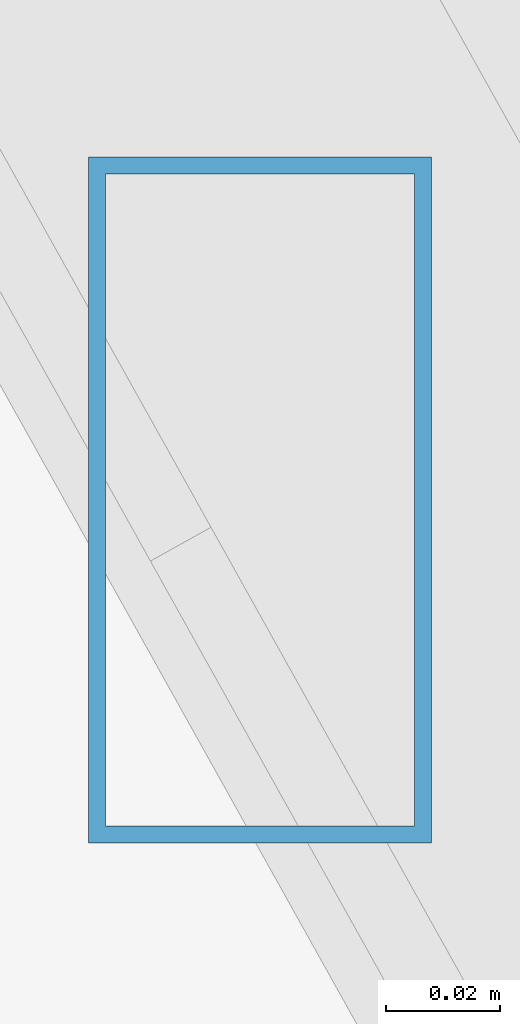
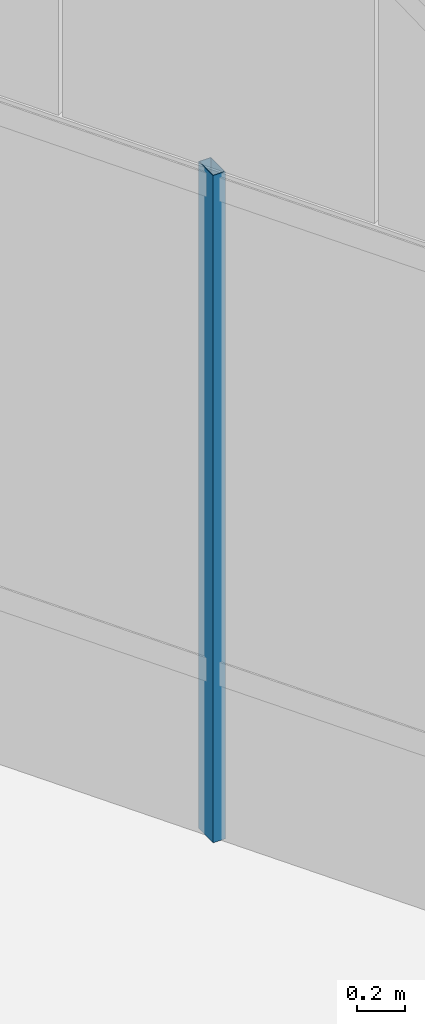
# One storey, part 40 of 50: 1 member, 1 element without a shape of its own.
"""IFC4 building model written with IfcOpenShell, lengths in metres."""

import ifcopenshell
import ifcopenshell.guid

model = None  # the IFC model being written
_history = None  # IfcOwnerHistory: only IFC2X3 demands one
_inside = {}  # id of a spatial element -> (the spatial element, [elements in it])
_under = {}  # id of a project, library or spatial element -> (it, [spatial elements below it])
_declared = {}  # id of a project -> (the project, [libraries it declares])
_typed = {}  # id of a type object -> (the type object, [elements of that type])
_made_of = {}  # id of a material, layer set ... -> (it, [elements and type objects made of it])


def new_model(schema):
    """Start an empty IFC model of exactly this schema.

    Asked for "IFC4X3", IfcOpenShell would pick the latest addendum, in which some entities
    have other attributes; the version numbers below select the first issue.
    IFC2X3 requires an IfcOwnerHistory on every rooted entity: one is made here for all.
    """
    global model, _history
    if schema == "IFC4X3":
        model = ifcopenshell.file(schema_version=(4, 3, 0, 0))
    else:
        model = ifcopenshell.file(schema=schema)
    _inside.clear()
    _under.clear()
    _declared.clear()
    _typed.clear()
    _made_of.clear()
    _history = None
    if model.schema == "IFC2X3":
        org = make("IfcOrganization", Name="unknown")
        user = make(
            "IfcPersonAndOrganization",
            ThePerson=make("IfcPerson", FamilyName="unknown"),
            TheOrganization=org,
        )
        app = make(
            "IfcApplication",
            ApplicationDeveloper=org,
            Version="unknown",
            ApplicationFullName="unknown",
            ApplicationIdentifier="unknown",
        )
        _history = make(
            "IfcOwnerHistory",
            OwningUser=user,
            OwningApplication=app,
            ChangeAction="ADDED",
            CreationDate=0,
        )
    return model


def make(cls, **values):
    """One entity of the class cls with the attributes given. An attribute that is None is left unset."""
    return model.create_entity(
        cls, **{name: value for name, value in values.items() if value is not None}
    )


def rooted(cls, **values):
    """An entity with a GlobalId (a new one), such as an element, a storey or a relation."""
    return make(cls, GlobalId=ifcopenshell.guid.new(), OwnerHistory=_history, **values)


def si_unit(unit_type, name, prefix=None):
    """IfcSIUnit, for example si_unit("LENGTHUNIT", "METRE", prefix="MILLI")."""
    return make("IfcSIUnit", UnitType=unit_type, Prefix=prefix, Name=name)


def assignment(units):
    """IfcUnitAssignment: the units of a project."""
    return None if units is None else make("IfcUnitAssignment", Units=units)


def point(xyz):
    """IfcCartesianPoint."""
    return None if xyz is None else make("IfcCartesianPoint", Coordinates=xyz)


def direction(xyz):
    """IfcDirection."""
    return None if xyz is None else make("IfcDirection", DirectionRatios=xyz)


def frame(location, z_axis=None, x_axis=None):
    """IfcAxis2Placement3D, a coordinate frame: its origin and axes. An axis left out is left unset."""
    return make(
        "IfcAxis2Placement3D",
        Location=point(location),
        Axis=direction(z_axis),
        RefDirection=direction(x_axis),
    )


def frame_2d(location, x_axis=None):
    """IfcAxis2Placement2D, a coordinate frame in the plane: its origin and x axis."""
    return make(
        "IfcAxis2Placement2D", Location=point(location), RefDirection=direction(x_axis)
    )


def origin():
    """The frame at (0, 0, 0) with its axes left unset."""
    return frame((0.0, 0.0, 0.0))


def origin_2d():
    """The frame at (0, 0) in the plane with its x axis left unset."""
    return frame_2d((0.0, 0.0))


def place(relative_to, where):
    """IfcLocalPlacement: puts the frame where relative to a parent placement (None: the world)."""
    return make(
        "IfcLocalPlacement", PlacementRelTo=relative_to, RelativePlacement=where
    )


def context(
    kind, dimensions, precision=None, world=None, true_north=None, identifier=None
):
    """IfcGeometricRepresentationContext, for example the 3D "Model" context."""
    return make(
        "IfcGeometricRepresentationContext",
        ContextIdentifier=identifier,
        ContextType=kind,
        CoordinateSpaceDimension=dimensions,
        Precision=precision,
        WorldCoordinateSystem=world,
        TrueNorth=true_north,
    )


def subcontext(parent, identifier, kind, view, scale=None):
    """IfcGeometricRepresentationSubContext, for example "Body" below "Model"."""
    return make(
        "IfcGeometricRepresentationSubContext",
        ContextIdentifier=identifier,
        ContextType=kind,
        ParentContext=parent,
        TargetScale=scale,
        TargetView=view,
    )


def project(units=None, contexts=None):
    """IfcProject with its units and contexts."""
    return rooted(
        "IfcProject",
        Name="project",
        RepresentationContexts=contexts,
        UnitsInContext=assignment(units),
    )


def spatial(cls, under=None, at=None, **own):
    """A site, building, storey or space (cls), placed at a placement, below another one or the project."""
    s = rooted(cls, ObjectPlacement=at, **own)
    if under is not None:
        _under.setdefault(under.id(), (under, []))[1].append(s)
    return s


def profile(cls, at=None, kind="AREA", **sizes):
    """A parametric profile (cls). Its sizes go by their IFC names, for example OverallWidth=200.0."""
    return make(cls, ProfileType=kind, Position=at, **sizes)


def hollow_rectangle(**sizes):
    """IfcRectangleHollowProfileDef."""
    return profile("IfcRectangleHollowProfileDef", **sizes)


def extrude(swept, where, along, depth):
    """IfcExtrudedAreaSolid: the profile swept, set in the frame where, extruded along a direction by depth."""
    return make(
        "IfcExtrudedAreaSolid",
        SweptArea=swept,
        Position=where,
        ExtrudedDirection=direction(along),
        Depth=depth,
    )


def shape(context_of_items, identifier, shape_type, items):
    """IfcShapeRepresentation: the items that make up one representation, for example the "Body"."""
    return make(
        "IfcShapeRepresentation",
        ContextOfItems=context_of_items,
        RepresentationIdentifier=identifier,
        RepresentationType=shape_type,
        Items=items,
    )


def source(mapping_origin, context_of_items, identifier, shape_type, items):
    """IfcRepresentationMap: a shape defined once, which mapped items show again and again."""
    return make(
        "IfcRepresentationMap",
        MappingOrigin=mapping_origin,
        MappedRepresentation=shape(context_of_items, identifier, shape_type, items),
    )


def transform(
    local_origin,
    x_axis=None,
    y_axis=None,
    z_axis=None,
    scale=None,
    scale2=None,
    scale3=None,
    uniform=True,
):
    """IfcCartesianTransformationOperator3D, or its non-uniform kind. x_axis, y_axis, z_axis: its Axis1, 2, 3."""
    if uniform:
        return make(
            "IfcCartesianTransformationOperator3D",
            Axis1=direction(x_axis),
            Axis2=direction(y_axis),
            LocalOrigin=point(local_origin),
            Scale=scale,
            Axis3=direction(z_axis),
        )
    return make(
        "IfcCartesianTransformationOperator3DnonUniform",
        Axis1=direction(x_axis),
        Axis2=direction(y_axis),
        LocalOrigin=point(local_origin),
        Scale=scale,
        Axis3=direction(z_axis),
        Scale2=scale2,
        Scale3=scale3,
    )


def mapped(mapping_source, mapping_target):
    """IfcMappedItem: shows the shape of a source again, moved by a transform."""
    return make(
        "IfcMappedItem", MappingSource=mapping_source, MappingTarget=mapping_target
    )


def material(Name=None, Category=None):
    """IfcMaterial."""
    return make("IfcMaterial", Name=Name, Category=Category)


def material_profile(
    of_material, cross_section, Name=None, Category=None, Priority=None
):
    """IfcMaterialProfile: a cross section and its material."""
    return make(
        "IfcMaterialProfile",
        Name=Name,
        Material=of_material,
        Profile=cross_section,
        Priority=Priority,
        Category=Category,
    )


def profile_set(profiles, Name=None, composite=None):
    """IfcMaterialProfileSet."""
    return make(
        "IfcMaterialProfileSet",
        Name=Name,
        MaterialProfiles=profiles,
        CompositeProfile=composite,
    )


def made_of(thing, what):
    """Note that an element or type object is made of a material, layer set ...; save() writes the relation."""
    if what is not None:
        _made_of.setdefault(what.id(), (what, []))[1].append(thing)
    return thing


def type_object(cls, material=None, **own):
    """A type object (cls), such as IfcWallType, which elements share."""
    return made_of(rooted(cls, **own), material)


def type_shapes(of_type, sources):
    """Give a type object the sources (RepresentationMaps) that its elements show as mapped items."""
    of_type.RepresentationMaps = sources


def element(
    cls,
    number,
    at=None,
    inside=None,
    cuts=None,
    type_object=None,
    material=None,
    context=None,
    identifier="Body",
    shape_type=None,
    held_by="IfcProductDefinitionShape",
    body=None,
    shapes=None,
    **own,
):
    """One element of the class cls, such as IfcWall. Its Tag is "e" and its number.

    at: its placement. inside: the storey or other place that contains it. cuts: it is an
    opening in that element (IfcRelVoidsElement). A single representation is given by context,
    identifier, shape_type and body (its items); several are given by shapes. held_by: the class
    of the entity that holds the representations. save() writes the other relations.
    """
    e = rooted(cls, Tag="e%d" % number, ObjectPlacement=at, **own)
    if body is not None:
        shapes = [shape(context, identifier, shape_type, body)]
    if shapes is not None:
        e.Representation = make(held_by, Representations=shapes)
    if inside is not None:
        _inside.setdefault(inside.id(), (inside, []))[1].append(e)
    if cuts is not None:
        rooted(
            "IfcRelVoidsElement", RelatingBuildingElement=cuts, RelatedOpeningElement=e
        )
    if type_object is not None:
        _typed.setdefault(type_object.id(), (type_object, []))[1].append(e)
    return made_of(e, material)


def aggregate(whole, parts):
    """IfcRelAggregates: a whole, such as a stair, and the parts it consists of."""
    return rooted("IfcRelAggregates", RelatingObject=whole, RelatedObjects=parts)


def save(model, path):
    """Write the relations noted so far, then the file.

    IfcRelAggregates (storeys below a building ...), IfcRelContainedInSpatialStructure (elements
    in a storey), IfcRelDefinesByType, IfcRelAssociatesMaterial and IfcRelDeclares: one each for
    every whole, place, type object, material and project.
    """
    for whole, parts in _under.values():
        aggregate(whole, parts)
    for where, things in _inside.values():
        rooted(
            "IfcRelContainedInSpatialStructure",
            RelatedElements=things,
            RelatingStructure=where,
        )
    for kind, things in _typed.values():
        rooted("IfcRelDefinesByType", RelatedObjects=things, RelatingType=kind)
    for what, things in _made_of.values():
        rooted("IfcRelAssociatesMaterial", RelatedObjects=things, RelatingMaterial=what)
    for by, libraries in _declared.values():
        rooted("IfcRelDeclares", RelatingContext=by, RelatedDefinitions=libraries)
    model.write(path)


model = new_model("IFC4")

# Units and contexts
model_context = context("Model", 3, precision=1e-05, world=origin(), true_north=direction((0.0, 1.0)))
body_context = subcontext(model_context, "Body", "Model", "MODEL_VIEW")
ifc_project = project(units=[si_unit("LENGTHUNIT", "METRE"), si_unit("AREAUNIT", "SQUARE_METRE"), si_unit("VOLUMEUNIT", "CUBIC_METRE"), si_unit("PLANEANGLEUNIT", "RADIAN"), si_unit("MASSUNIT", "GRAM", prefix="KILO")], contexts=[model_context])

# Site, building, storey
site_placement = place(None, origin())
site = spatial("IfcSite", under=ifc_project, at=site_placement, CompositionType="ELEMENT")
building_placement = place(site_placement, origin())
building = spatial("IfcBuilding", under=site, at=building_placement, Name="Caelisora Broadcast Tower", CompositionType="ELEMENT")
storey_placement = place(building_placement, frame((0.0, 0.0, 303.39990234375)))
storey = spatial("IfcBuildingStorey", under=building, at=storey_placement, Name="L80", CompositionType="ELEMENT", Elevation=303.39990234375)

# Curtain wall, member
ifc_material_1 = material(Name="Unitised Aluminium Insulated Shadow-Box Spandrel Curtain Wall", Category="aluminium")
curtain_wall_type = type_object("IfcCurtainWallType", Name="CW-SP3", PredefinedType="NOTDEFINED", material=ifc_material_1)
curtain_wall_placement = place(storey_placement, origin())
curtain_wall = element("IfcCurtainWall", 1, at=curtain_wall_placement, inside=storey, type_object=curtain_wall_type, Name="L80 curtain wall CW-SP3", PredefinedType="NOTDEFINED")
ifc_material_2 = material(Name="Aluminium 6063-T6 Anodised Terracotta Bronze", Category="aluminium")
ifc_material_profile = material_profile(ifc_material_2, hollow_rectangle(XDim=0.06005859375, YDim=0.1201171875, WallThickness=0.0029296875, at=origin_2d()), Name="Aluminium 6063-T6 Anodised Terracotta Bronze")
ifc_profile_set = profile_set([ifc_material_profile], Name="Aluminium 6063-T6 Anodised Terracotta Bronze")
member_type = type_object("IfcMemberType", Name="CWM-04", PredefinedType="MULLION", material=ifc_profile_set)
shared_shape = source(origin(), body_context, "Body", "SweptSolid", [
    extrude(hollow_rectangle(XDim=0.06005859375, YDim=0.1201171875, WallThickness=0.0029296875, at=origin_2d()), origin(), (0.0, 0.0, 1.0), 3.400146484375),
])
type_shapes(member_type, [shared_shape])
member_placement = place(storey_placement, frame((44.3388671875, 42.6474609375, 0.0), z_axis=(0.0, 0.0, 1.0), x_axis=(1.0, 0.0, 0.0)))
member = element("IfcMember", 2, at=member_placement, type_object=member_type, Name="L80-CW-B01 mullion #2", PredefinedType="MULLION", context=body_context, shape_type="MappedRepresentation", body=[
    mapped(shared_shape, transform((0.0, 0.0, 0.0), scale=1.0)),
])
aggregate(curtain_wall, [member])

save(model, "model.ifc")
